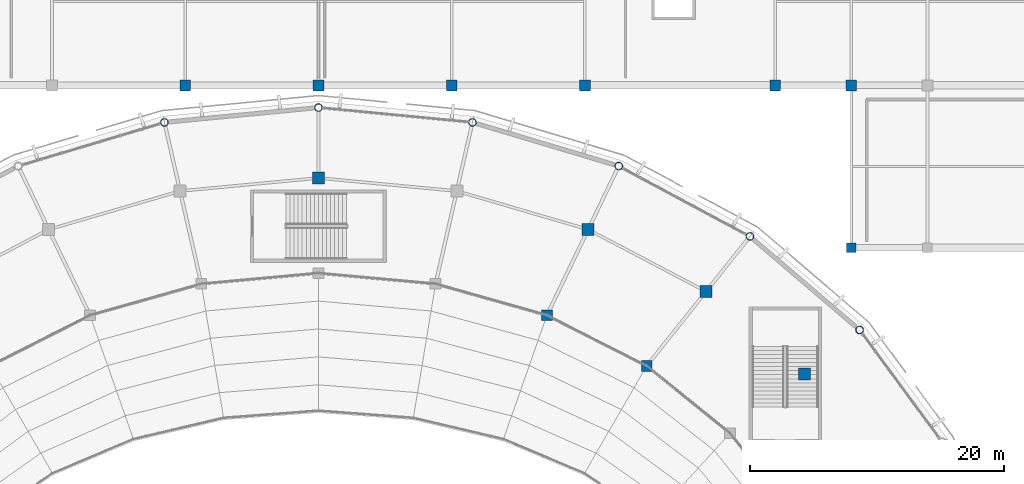
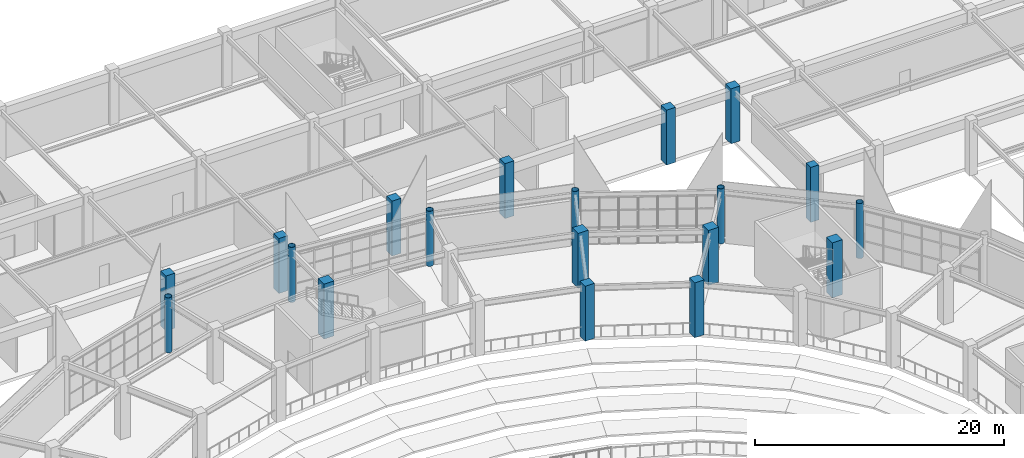
# One storey, part 9 of 120: 19 columns.
"""IFC4 building model written with IfcOpenShell, lengths in metres."""

import ifcopenshell
import ifcopenshell.guid

model = None  # the IFC model being written
_history = None  # IfcOwnerHistory: only IFC2X3 demands one
_inside = {}  # id of a spatial element -> (the spatial element, [elements in it])
_under = {}  # id of a project, library or spatial element -> (it, [spatial elements below it])
_declared = {}  # id of a project -> (the project, [libraries it declares])
_typed = {}  # id of a type object -> (the type object, [elements of that type])
_made_of = {}  # id of a material, layer set ... -> (it, [elements and type objects made of it])


def new_model(schema):
    """Start an empty IFC model of exactly this schema.

    Asked for "IFC4X3", IfcOpenShell would pick the latest addendum, in which some entities
    have other attributes; the version numbers below select the first issue.
    IFC2X3 requires an IfcOwnerHistory on every rooted entity: one is made here for all.
    """
    global model, _history
    if schema == "IFC4X3":
        model = ifcopenshell.file(schema_version=(4, 3, 0, 0))
    else:
        model = ifcopenshell.file(schema=schema)
    _inside.clear()
    _under.clear()
    _declared.clear()
    _typed.clear()
    _made_of.clear()
    _history = None
    if model.schema == "IFC2X3":
        org = make("IfcOrganization", Name="unknown")
        user = make(
            "IfcPersonAndOrganization",
            ThePerson=make("IfcPerson", FamilyName="unknown"),
            TheOrganization=org,
        )
        app = make(
            "IfcApplication",
            ApplicationDeveloper=org,
            Version="unknown",
            ApplicationFullName="unknown",
            ApplicationIdentifier="unknown",
        )
        _history = make(
            "IfcOwnerHistory",
            OwningUser=user,
            OwningApplication=app,
            ChangeAction="ADDED",
            CreationDate=0,
        )
    return model


def make(cls, **values):
    """One entity of the class cls with the attributes given. An attribute that is None is left unset."""
    return model.create_entity(
        cls, **{name: value for name, value in values.items() if value is not None}
    )


def rooted(cls, **values):
    """An entity with a GlobalId (a new one), such as an element, a storey or a relation."""
    return make(cls, GlobalId=ifcopenshell.guid.new(), OwnerHistory=_history, **values)


def si_unit(unit_type, name, prefix=None):
    """IfcSIUnit, for example si_unit("LENGTHUNIT", "METRE", prefix="MILLI")."""
    return make("IfcSIUnit", UnitType=unit_type, Prefix=prefix, Name=name)


def assignment(units):
    """IfcUnitAssignment: the units of a project."""
    return None if units is None else make("IfcUnitAssignment", Units=units)


def point(xyz):
    """IfcCartesianPoint."""
    return None if xyz is None else make("IfcCartesianPoint", Coordinates=xyz)


def direction(xyz):
    """IfcDirection."""
    return None if xyz is None else make("IfcDirection", DirectionRatios=xyz)


def frame(location, z_axis=None, x_axis=None):
    """IfcAxis2Placement3D, a coordinate frame: its origin and axes. An axis left out is left unset."""
    return make(
        "IfcAxis2Placement3D",
        Location=point(location),
        Axis=direction(z_axis),
        RefDirection=direction(x_axis),
    )


def frame_2d(location, x_axis=None):
    """IfcAxis2Placement2D, a coordinate frame in the plane: its origin and x axis."""
    return make(
        "IfcAxis2Placement2D", Location=point(location), RefDirection=direction(x_axis)
    )


def origin():
    """The frame at (0, 0, 0) with its axes left unset."""
    return frame((0.0, 0.0, 0.0))


def origin_2d():
    """The frame at (0, 0) in the plane with its x axis left unset."""
    return frame_2d((0.0, 0.0))


def place(relative_to, where):
    """IfcLocalPlacement: puts the frame where relative to a parent placement (None: the world)."""
    return make(
        "IfcLocalPlacement", PlacementRelTo=relative_to, RelativePlacement=where
    )


def context(
    kind, dimensions, precision=None, world=None, true_north=None, identifier=None
):
    """IfcGeometricRepresentationContext, for example the 3D "Model" context."""
    return make(
        "IfcGeometricRepresentationContext",
        ContextIdentifier=identifier,
        ContextType=kind,
        CoordinateSpaceDimension=dimensions,
        Precision=precision,
        WorldCoordinateSystem=world,
        TrueNorth=true_north,
    )


def subcontext(parent, identifier, kind, view, scale=None):
    """IfcGeometricRepresentationSubContext, for example "Body" below "Model"."""
    return make(
        "IfcGeometricRepresentationSubContext",
        ContextIdentifier=identifier,
        ContextType=kind,
        ParentContext=parent,
        TargetScale=scale,
        TargetView=view,
    )


def project(units=None, contexts=None):
    """IfcProject with its units and contexts."""
    return rooted(
        "IfcProject",
        Name="project",
        RepresentationContexts=contexts,
        UnitsInContext=assignment(units),
    )


def spatial(cls, under=None, at=None, **own):
    """A site, building, storey or space (cls), placed at a placement, below another one or the project."""
    s = rooted(cls, ObjectPlacement=at, **own)
    if under is not None:
        _under.setdefault(under.id(), (under, []))[1].append(s)
    return s


def profile(cls, at=None, kind="AREA", **sizes):
    """A parametric profile (cls). Its sizes go by their IFC names, for example OverallWidth=200.0."""
    return make(cls, ProfileType=kind, Position=at, **sizes)


def rectangle(**sizes):
    """IfcRectangleProfileDef."""
    return profile("IfcRectangleProfileDef", **sizes)


def hollow_circle(**sizes):
    """IfcCircleHollowProfileDef."""
    return profile("IfcCircleHollowProfileDef", **sizes)


def extrude(swept, where, along, depth):
    """IfcExtrudedAreaSolid: the profile swept, set in the frame where, extruded along a direction by depth."""
    return make(
        "IfcExtrudedAreaSolid",
        SweptArea=swept,
        Position=where,
        ExtrudedDirection=direction(along),
        Depth=depth,
    )


def shape(context_of_items, identifier, shape_type, items):
    """IfcShapeRepresentation: the items that make up one representation, for example the "Body"."""
    return make(
        "IfcShapeRepresentation",
        ContextOfItems=context_of_items,
        RepresentationIdentifier=identifier,
        RepresentationType=shape_type,
        Items=items,
    )


def material(Name=None, Category=None):
    """IfcMaterial."""
    return make("IfcMaterial", Name=Name, Category=Category)


def material_profile(
    of_material, cross_section, Name=None, Category=None, Priority=None
):
    """IfcMaterialProfile: a cross section and its material."""
    return make(
        "IfcMaterialProfile",
        Name=Name,
        Material=of_material,
        Profile=cross_section,
        Priority=Priority,
        Category=Category,
    )


def profile_set(profiles, Name=None, composite=None):
    """IfcMaterialProfileSet."""
    return make(
        "IfcMaterialProfileSet",
        Name=Name,
        MaterialProfiles=profiles,
        CompositeProfile=composite,
    )


def made_of(thing, what):
    """Note that an element or type object is made of a material, layer set ...; save() writes the relation."""
    if what is not None:
        _made_of.setdefault(what.id(), (what, []))[1].append(thing)
    return thing


def type_object(cls, material=None, **own):
    """A type object (cls), such as IfcWallType, which elements share."""
    return made_of(rooted(cls, **own), material)


def element(
    cls,
    number,
    at=None,
    inside=None,
    cuts=None,
    type_object=None,
    material=None,
    context=None,
    identifier="Body",
    shape_type=None,
    held_by="IfcProductDefinitionShape",
    body=None,
    shapes=None,
    **own,
):
    """One element of the class cls, such as IfcWall. Its Tag is "e" and its number.

    at: its placement. inside: the storey or other place that contains it. cuts: it is an
    opening in that element (IfcRelVoidsElement). A single representation is given by context,
    identifier, shape_type and body (its items); several are given by shapes. held_by: the class
    of the entity that holds the representations. save() writes the other relations.
    """
    e = rooted(cls, Tag="e%d" % number, ObjectPlacement=at, **own)
    if body is not None:
        shapes = [shape(context, identifier, shape_type, body)]
    if shapes is not None:
        e.Representation = make(held_by, Representations=shapes)
    if inside is not None:
        _inside.setdefault(inside.id(), (inside, []))[1].append(e)
    if cuts is not None:
        rooted(
            "IfcRelVoidsElement", RelatingBuildingElement=cuts, RelatedOpeningElement=e
        )
    if type_object is not None:
        _typed.setdefault(type_object.id(), (type_object, []))[1].append(e)
    return made_of(e, material)


def aggregate(whole, parts):
    """IfcRelAggregates: a whole, such as a stair, and the parts it consists of."""
    return rooted("IfcRelAggregates", RelatingObject=whole, RelatedObjects=parts)


def save(model, path):
    """Write the relations noted so far, then the file.

    IfcRelAggregates (storeys below a building ...), IfcRelContainedInSpatialStructure (elements
    in a storey), IfcRelDefinesByType, IfcRelAssociatesMaterial and IfcRelDeclares: one each for
    every whole, place, type object, material and project.
    """
    for whole, parts in _under.values():
        aggregate(whole, parts)
    for where, things in _inside.values():
        rooted(
            "IfcRelContainedInSpatialStructure",
            RelatedElements=things,
            RelatingStructure=where,
        )
    for kind, things in _typed.values():
        rooted("IfcRelDefinesByType", RelatedObjects=things, RelatingType=kind)
    for what, things in _made_of.values():
        rooted("IfcRelAssociatesMaterial", RelatedObjects=things, RelatingMaterial=what)
    for by, libraries in _declared.values():
        rooted("IfcRelDeclares", RelatingContext=by, RelatedDefinitions=libraries)
    model.write(path)


model = new_model("IFC4")

# Units and contexts
model_context = context("Model", 3, precision=1e-05, world=origin(), true_north=direction((0.0, 1.0)))
body_context = subcontext(model_context, "Body", "Model", "MODEL_VIEW")
ifc_project = project(units=[si_unit("LENGTHUNIT", "METRE"), si_unit("AREAUNIT", "SQUARE_METRE"), si_unit("VOLUMEUNIT", "CUBIC_METRE"), si_unit("PLANEANGLEUNIT", "RADIAN"), si_unit("MASSUNIT", "GRAM", prefix="KILO")], contexts=[model_context])

# Site, building, storey
site_placement = place(None, origin())
site = spatial("IfcSite", under=ifc_project, at=site_placement, CompositionType="ELEMENT")
building_placement = place(site_placement, origin())
building = spatial("IfcBuilding", under=site, at=building_placement, Name="Cuetzalor Civic Arena", CompositionType="ELEMENT")
storey_placement = place(building_placement, frame((0.0, 0.0, 6.0)))
storey = spatial("IfcBuildingStorey", under=building, at=storey_placement, Name="L01", CompositionType="ELEMENT", Elevation=6.0)

# Columns
ifc_material_1 = material(Name="Concrete C40/50", Category="concrete")
ifc_material_profile_1 = material_profile(ifc_material_1, rectangle(XDim=0.75, YDim=0.75, at=origin_2d()), Name="RC 750x750")
ifc_profile_set_1 = profile_set([ifc_material_profile_1], Name="Concrete C40/50")
column_type_1 = type_object("IfcColumnType", Name="ConcreteColumn_750", PredefinedType="COLUMN", material=ifc_profile_set_1)
column_placement = place(storey_placement, frame((42.0, 35.5, 0.0), z_axis=(0.0, 0.0, 1.0), x_axis=(1.0, 0.0, 0.0)))
element("IfcColumn", 1, at=column_placement, inside=storey, type_object=column_type_1, Name="Column V5-C-12-01 L01", PredefinedType="COLUMN", context=body_context, shape_type="SweptSolid", body=[
    extrude(rectangle(XDim=0.75, YDim=0.75, at=origin_2d()), origin(), (0.0, 0.0, 1.0), 5.39990234375),
])
ifc_material_2 = material(Name="Concrete C40/50", Category="concrete")
ifc_material_profile_2 = material_profile(ifc_material_2, rectangle(XDim=0.85009765625, YDim=0.85009765625, at=origin_2d()), Name="RC 850x850")
ifc_profile_set_2 = profile_set([ifc_material_profile_2], Name="Concrete C40/50")
column_type_2 = type_object("IfcColumnType", Name="ConcreteColumn_850", PredefinedType="COLUMN", material=ifc_profile_set_2)
for number, where, z_axis, x_axis, name in (
    (2, (25.874755859375, 26.19140625, 0.0), (0.0, 0.0, 1.0), (1.0, 0.0, 0.0), "Column V1-MID-05 L01"),
    (3, (18.006103515625, 30.1826171875, 0.0), (0.0, 0.0, 1.0), (1.0, 0.0, 0.0), "Column V1-MID-06 L01"),
    (4, (-10.5, 48.300048828125, 0.0), (0.0, 0.0, 1.0), (1.0, 0.0, 0.0), "Column V5-C-07-02 L01"),
    (5, (0.0, 48.300048828125, 0.0), (0.0, 0.0, 1.0), (1.0, 0.0, 0.0), "Column V5-C-08-02 L01"),
    (6, (10.5, 48.300048828125, 0.0), (0.0, 0.0, 1.0), (1.0, 0.0, 0.0), "Column V5-C-09-02 L01"),
    (7, (21.0, 48.300048828125, 0.0), (0.0, 0.0, 1.0), (1.0, 0.0, 0.0), "Column V5-C-10-02 L01"),
    (8, (36.0, 48.300048828125, 0.0), (0.0, 0.0, 1.0), (1.0, 0.0, 0.0), "Column V5-C-11-02 L01"),
    (9, (42.0, 48.300048828125, 0.0), (0.0, 0.0, 1.0), (1.0, 0.0, 0.0), "Column V5-C-12-02 L01"),
):
    element("IfcColumn", number, at=place(storey_placement, frame(where, z_axis=z_axis, x_axis=x_axis)), inside=storey, type_object=column_type_2, Name=name, PredefinedType="COLUMN", context=body_context, shape_type="SweptSolid", body=[
        extrude(rectangle(XDim=0.85009765625, YDim=0.85009765625, at=origin_2d()), origin(), (0.0, 0.0, 1.0), 5.39990234375),
    ])
ifc_material_3 = material(Name="Concrete C40/50", Category="concrete")
ifc_material_profile_3 = material_profile(ifc_material_3, rectangle(XDim=0.949951171875, YDim=0.949951171875, at=origin_2d()), Name="RC 950x950")
ifc_profile_set_3 = profile_set([ifc_material_profile_3], Name="Concrete C40/50")
column_type_3 = type_object("IfcColumnType", Name="ConcreteColumn_950", PredefinedType="COLUMN", material=ifc_profile_set_3)
for number, where, z_axis, x_axis, name in (
    (10, (38.309814453125, 25.56298828125, 0.0), (0.0, 0.0, 1.0), (1.0, 0.0, 0.0), "Column V1-REC-04 L01"),
    (11, (30.551025390625, 32.05517578125, 0.0), (0.0, 0.0, 1.0), (1.0, 0.0, 0.0), "Column V1-REC-05 L01"),
    (12, (21.26025390625, 36.939697265625, 0.0), (0.0, 0.0, 1.0), (1.0, 0.0, 0.0), "Column V1-REC-06 L01"),
    (13, (0.0, 41.0, 0.0), (0.0, 0.0, 1.0), (1.0, 0.0, 0.0), "Column V1-REC-08 L01"),
):
    element("IfcColumn", number, at=place(storey_placement, frame(where, z_axis=z_axis, x_axis=x_axis)), inside=storey, type_object=column_type_3, Name=name, PredefinedType="COLUMN", context=body_context, shape_type="SweptSolid", body=[
        extrude(rectangle(XDim=0.949951171875, YDim=0.949951171875, at=origin_2d()), origin(), (0.0, 0.0, 1.0), 5.39990234375),
    ])
ifc_material_4 = material(Name="Steel S355", Category="steel")
ifc_material_profile_4 = material_profile(ifc_material_4, hollow_circle(Radius=0.304931640625, WallThickness=0.02490234375, at=origin_2d()), Name="CHS 610x25")
ifc_profile_set_4 = profile_set([ifc_material_profile_4], Name="Steel S355")
column_type_4 = type_object("IfcColumnType", Name="SteelDomePylon_CHS610", PredefinedType="COLUMN", material=ifc_profile_set_4)
for number, where, z_axis, x_axis, name in (
    (14, (42.64892578125, 29.0234375, 0.0), (0.0, 0.0, 1.0), (1.0, 0.0, 0.0), "Column V1-PYL-04 L01"),
    (15, (34.011474609375, 36.394287109375, 0.0), (0.0, 0.0, 1.0), (1.0, 0.0, 0.0), "Column V1-PYL-05 L01"),
    (16, (23.66845703125, 41.940185546875, 0.0), (0.0, 0.0, 1.0), (1.0, 0.0, 0.0), "Column V1-PYL-06 L01"),
    (17, (12.138427734375, 45.3828125, 0.0), (0.0, 0.0, 1.0), (1.0, 0.0, 0.0), "Column V1-PYL-07 L01"),
    (18, (0.0, 46.550048828125, 0.0), (0.0, 0.0, 1.0), (1.0, 0.0, 0.0), "Column V1-PYL-08 L01"),
    (19, (-12.138427734375, 45.3828125, 0.0), (0.0, 0.0, 1.0), (1.0, 0.0, 0.0), "Column V1-PYL-09 L01"),
):
    element("IfcColumn", number, at=place(storey_placement, frame(where, z_axis=z_axis, x_axis=x_axis)), inside=storey, type_object=column_type_4, Name=name, PredefinedType="COLUMN", context=body_context, shape_type="SweptSolid", body=[
        extrude(hollow_circle(Radius=0.304931640625, WallThickness=0.02490234375, at=origin_2d()), origin(), (0.0, 0.0, 1.0), 5.39990234375),
    ])

save(model, "model.ifc")
